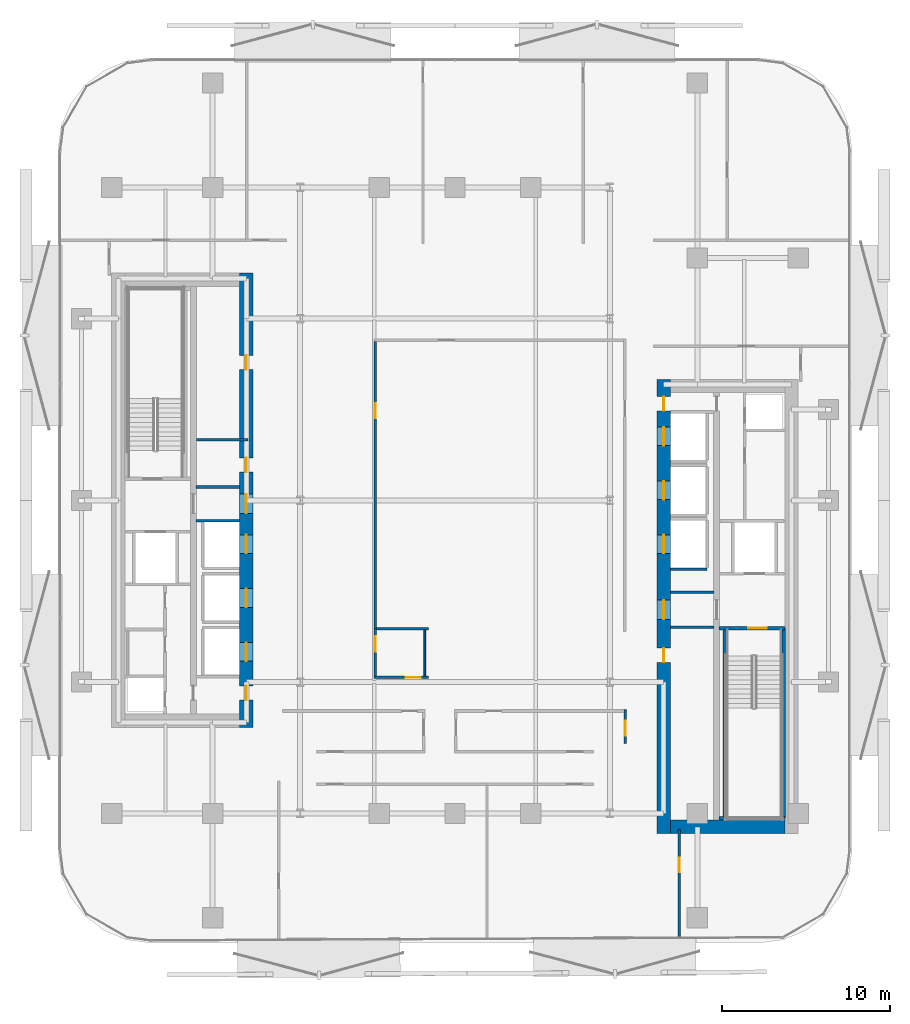
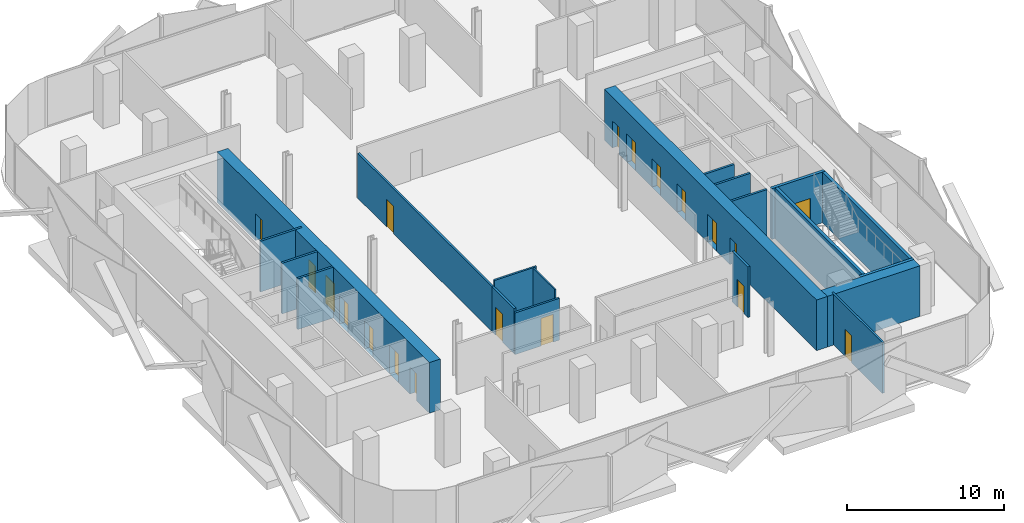
# One storey, part 4 of 15: 20 walls, 19 doors, 19 openings.
"""IFC4 building model written with IfcOpenShell, lengths in metres."""

from ifc_helpers import new_model, si_unit, direction, frame, frame_2d, origin, place, context, subcontext, project, spatial, rectangle, extrude, material, layer, layer_set, type_object, element, fill, save


model = new_model("IFC4")

# Units and contexts
model_context = context("Model", 3, precision=1e-05, world=origin(), true_north=direction((0.0, 1.0)))
body_context = subcontext(model_context, "Body", "Model", "MODEL_VIEW")
ifc_project = project(units=[si_unit("LENGTHUNIT", "METRE"), si_unit("AREAUNIT", "SQUARE_METRE"), si_unit("VOLUMEUNIT", "CUBIC_METRE"), si_unit("PLANEANGLEUNIT", "RADIAN"), si_unit("MASSUNIT", "GRAM", prefix="KILO")], contexts=[model_context])

# Site, building, storey
site_placement = place(None, origin())
site = spatial("IfcSite", under=ifc_project, at=site_placement, CompositionType="ELEMENT")
building_placement = place(site_placement, origin())
building = spatial("IfcBuilding", under=site, at=building_placement, Name="Khairoan Windgate Tower", CompositionType="ELEMENT")
storey_placement = place(building_placement, frame((0.0, 0.0, 118.39990234375)))
storey = spatial("IfcBuildingStorey", under=building, at=storey_placement, Name="L27", CompositionType="ELEMENT", Elevation=118.39990234375)

# Walls
ifc_material_1 = material(Name="Moisture-Resistant Gypsum Partition", Category="gypsum")
ifc_layer_1 = layer(ifc_material_1, 0.10009765625, Name="Moisture-Resistant Gypsum Partition")
ifc_layer_set_1 = layer_set([ifc_layer_1], Name="Moisture-Resistant Gypsum Partition")
wall_type_1 = type_object("IfcWallType", Name="Bathroom Wet-Area Partition Wall", PredefinedType="PARTITIONING", material=ifc_layer_set_1)
wall_1_placement = place(storey_placement, frame((-1.800048828125, -7.68994140625, 0.0), z_axis=(0.0, 0.0, 1.0), x_axis=(0.0, -1.0, 0.0)))
element("IfcWall", 1, at=wall_1_placement, inside=storey, type_object=wall_type_1, Name="L27 Wet Room Side Wall 042", PredefinedType="PARTITIONING", context=body_context, shape_type="SweptSolid", body=[
    extrude(rectangle(XDim=2.755126953125, YDim=0.10009765625, at=frame_2d((1.37744140625, 0.0))), origin(), (0.0, 0.0, 1.0), 3.940185546875),
])
ifc_material_2 = material(Name="Concrete C40/50", Category="concrete")
ifc_layer_2 = layer(ifc_material_2, 0.159912109375, Name="Concrete C40/50")
ifc_layer_set_2 = layer_set([ifc_layer_2], Name="Concrete C40/50")
wall_type_2 = type_object("IfcWallType", Name="Core and Hoistway Enclosure Wall", PredefinedType="STANDARD", material=ifc_layer_set_2)
wall_2_placement = place(storey_placement, frame((12.800048828125, -4.090087890625, 0.0), z_axis=(0.0, 0.0, 1.0), x_axis=(1.0, 0.0, 0.0)))
element("IfcWall", 2, at=wall_2_placement, inside=storey, type_object=wall_type_2, Name="L27 Lift PL9 Hoistway Divider S", PredefinedType="STANDARD", context=body_context, shape_type="SweptSolid", body=[
    extrude(rectangle(XDim=2.18994140625, YDim=0.159912109375, at=frame_2d((1.094970703125, 0.0))), origin(), (0.0, 0.0, 1.0), 3.940185546875),
])
for number, where, z_axis, x_axis, name in (
    (3, (-15.39990234375, 0.800048828125, 0.0), (0.0, 0.0, 1.0), (1.0, 0.0, 0.0), "L27 Core Shaft Wall SW-WV1-L27"),
    (4, (-15.39990234375, -1.199951171875, 0.0), (0.0, 0.0, 1.0), (1.0, 0.0, 0.0), "L27 Core Shaft Wall SW-WV2-L27"),
    (5, (12.800048828125, -5.449951171875, 0.0), (0.0, 0.0, 1.0), (1.0, 0.0, 0.0), "L27 Core Shaft Wall SW-EV1-L27"),
    (6, (12.800048828125, -7.5400390625, 0.0), (0.0, 0.0, 1.0), (1.0, 0.0, 0.0), "L27 Core Shaft Wall SW-EV2-L27"),
):
    element("IfcWall", number, at=place(storey_placement, frame(where, z_axis=z_axis, x_axis=x_axis)), inside=storey, type_object=wall_type_2, Name=name, PredefinedType="STANDARD", context=body_context, shape_type="SweptSolid", body=[
        extrude(rectangle(XDim=2.599853515625, YDim=0.159912109375, at=frame_2d((1.2998046875, 0.0))), origin(), (0.0, 0.0, 1.0), 3.940185546875),
    ])

# Wall, opening, door
ifc_material_3 = material(Name="Acoustic Fire-Rated Gypsum Partition", Category="gypsum")
ifc_layer_3 = layer(ifc_material_3, 0.139892578125, Name="Acoustic Fire-Rated Gypsum Partition")
ifc_layer_set_3 = layer_set([ifc_layer_3], Name="Acoustic Fire-Rated Gypsum Partition")
wall_type_3 = type_object("IfcWallType", Name="Inter-Tenancy Compartment Wall", PredefinedType="PARTITIONING", material=ifc_layer_set_3)
wall_3_placement = place(storey_placement, frame((13.327880859375, -26.001220703125, 0.0), z_axis=(0.0, 0.0, 1.0), x_axis=(0.0, 1.0, 0.0)))
wall_3 = element("IfcWall", 7, at=wall_3_placement, inside=storey, type_object=wall_type_3, Name="L27 Interior Partition 039", PredefinedType="PARTITIONING", context=body_context, shape_type="SweptSolid", body=[
    extrude(rectangle(XDim=6.441162109375, YDim=0.139892578125, at=frame_2d((3.220703125, 0.0))), origin(), (0.0, 0.0, 1.0), 3.940185546875),
])
opening_1_placement = place(wall_3_placement, frame((3.91259765625, 0.0, 0.0)))
opening_1 = element("IfcOpeningElement", 8, at=opening_1_placement, cuts=wall_3, Name="Opening FD-SRV", PredefinedType="OPENING", context=body_context, shape_type="SweptSolid", body=[
    extrude(rectangle(XDim=0.85009765625, YDim=2.10009765625, at=frame_2d((0.425048828125, 1.050048828125))), frame((0.0, 0.079833984375, 0.0), z_axis=(0.0, -1.0, 0.0), x_axis=(1.0, 0.0, 0.0)), (0.0, 0.0, 1.0), 0.159912109375),
])
ifc_material_4 = material(Name="Steel S355", Category="steel")
door_type_1 = type_object("IfcDoorType", Name="Core Service and Riser Fire Door FD-SRV 850x2100", OperationType="NOTDEFINED", PredefinedType="DOOR", material=ifc_material_4)
door_1_placement = place(opening_1_placement, origin())
door_1 = element("IfcDoor", 9, at=door_1_placement, inside=storey, type_object=door_type_1, Name="L27 L27-46-L27-47 Door", OperationType="SINGLE_SWING_RIGHT", OverallHeight=2.10009765625, OverallWidth=0.85009765625, PredefinedType="DOOR", context=body_context, shape_type="SweptSolid", body=[
    extrude(rectangle(XDim=0.85009765625, YDim=2.10009765625, at=frame_2d((0.425048828125, 1.050048828125))), frame((0.0, 0.02490234375, 0.0), z_axis=(0.0, -1.0, 0.0), x_axis=(1.0, 0.0, 0.0)), (0.0, 0.0, 1.0), 0.050048828125),
])
fill(opening_1, door_1)

# Walls
wall_4_placement = place(storey_placement, frame((-4.669921875, -7.6201171875, 0.0), z_axis=(0.0, 0.0, 1.0), x_axis=(1.0, 0.0, 0.0)))
element("IfcWall", 10, at=wall_4_placement, inside=storey, type_object=wall_type_3, Name="L27 Interior Partition 040", PredefinedType="PARTITIONING", context=body_context, shape_type="SweptSolid", body=[
    extrude(rectangle(XDim=3.10986328125, YDim=0.139892578125, at=frame_2d((1.554931640625, 0.0))), origin(), (0.0, 0.0, 1.0), 3.940185546875),
])
ifc_material_5 = material(Name="Concrete C40/50", Category="concrete")
ifc_layer_4 = layer(ifc_material_5, 0.159912109375, Name="Concrete C40/50")
ifc_layer_set_4 = layer_set([ifc_layer_4], Name="Concrete C40/50")
wall_type_4 = type_object("IfcWallType", Name="Plant and Refuge Compartment Wall", PredefinedType="PARTITIONING", material=ifc_layer_set_4)
wall_5_placement = place(storey_placement, frame((-15.375, 3.60009765625, 0.0), z_axis=(0.0, 0.0, 1.0), x_axis=(1.0, 0.0, 0.0)))
element("IfcWall", 11, at=wall_5_placement, inside=storey, type_object=wall_type_4, Name="L27 Interior Partition 006", PredefinedType="PARTITIONING", context=body_context, shape_type="SweptSolid", body=[
    extrude(rectangle(XDim=3.06494140625, YDim=0.159912109375, at=frame_2d((1.532470703125, 0.0))), origin(), (0.0, 0.0, 1.0), 3.940185546875),
])

# Wall, opening, door
ifc_material_6 = material(Name="Acoustic Fire-Rated Gypsum Partition", Category="gypsum")
ifc_layer_5 = layer(ifc_material_6, 0.14990234375, Name="Acoustic Fire-Rated Gypsum Partition")
ifc_layer_set_5 = layer_set([ifc_layer_5], Name="Acoustic Fire-Rated Gypsum Partition")
wall_type_5 = type_object("IfcWallType", Name="Rated Corridor Partition Wall", PredefinedType="PARTITIONING", material=ifc_layer_set_5)
wall_6_placement = place(storey_placement, frame((10.125, -14.43994140625, 0.0), z_axis=(0.0, 0.0, 1.0), x_axis=(0.0, 1.0, 0.0)))
wall_6 = element("IfcWall", 12, at=wall_6_placement, inside=storey, type_object=wall_type_5, Name="L27 Interior Partition 012", PredefinedType="PARTITIONING", context=body_context, shape_type="SweptSolid", body=[
    extrude(rectangle(XDim=2.0, YDim=0.14990234375, at=frame_2d((1.0, 0.0))), origin(), (0.0, 0.0, 1.0), 3.940185546875),
])
opening_2_placement = place(wall_6_placement, frame((0.4599609375, 0.0, 0.0)))
opening_2 = element("IfcOpeningElement", 13, at=opening_2_placement, cuts=wall_6, Name="Opening FD-ENT", PredefinedType="OPENING", context=body_context, shape_type="SweptSolid", body=[
    extrude(rectangle(XDim=0.89990234375, YDim=2.14990234375, at=frame_2d((0.449951171875, 1.074951171875))), frame((0.0, 0.0849609375, 0.0), z_axis=(0.0, -1.0, 0.0), x_axis=(1.0, 0.0, 0.0)), (0.0, 0.0, 1.0), 0.169921875),
])
ifc_material_7 = material(Name="Timber Fire-Rated Core", Category="wood")
door_type_2 = type_object("IfcDoorType", Name="Unit and Office Fire Entrance Door FD-ENT 900x2150", OperationType="NOTDEFINED", PredefinedType="DOOR", material=ifc_material_7)
door_2_placement = place(opening_2_placement, origin())
door_2 = element("IfcDoor", 14, at=door_2_placement, inside=storey, type_object=door_type_2, Name="L27 L27-28-L27-51 Door", OperationType="SINGLE_SWING_LEFT", OverallHeight=2.14990234375, OverallWidth=0.89990234375, PredefinedType="DOOR", context=body_context, shape_type="SweptSolid", body=[
    extrude(rectangle(XDim=0.89990234375, YDim=2.14990234375, at=frame_2d((0.449951171875, 1.074951171875))), frame((0.0, 0.02490234375, 0.0), z_axis=(0.0, -1.0, 0.0), x_axis=(1.0, 0.0, 0.0)), (0.0, 0.0, 1.0), 0.050048828125),
])
fill(opening_2, door_2)

wall_7_placement = place(storey_placement, frame((-4.820068359375, -10.52001953125, 0.0), z_axis=(0.0, 0.0, 1.0), x_axis=(1.0, 0.0, 0.0)))
wall_7 = element("IfcWall", 15, at=wall_7_placement, inside=storey, type_object=wall_type_5, Name="L27 Interior Partition 014", PredefinedType="PARTITIONING", context=body_context, shape_type="SweptSolid", body=[
    extrude(rectangle(XDim=3.260009765625, YDim=0.14990234375, at=frame_2d((1.6298828125, 0.0))), origin(), (0.0, 0.0, 1.0), 3.239990234375),
])
opening_3_placement = place(wall_7_placement, frame((1.89990234375, 0.0, 0.0)))
opening_3 = element("IfcOpeningElement", 16, at=opening_3_placement, cuts=wall_7, Name="Opening FD-ENT", PredefinedType="OPENING", context=body_context, shape_type="SweptSolid", body=[
    extrude(rectangle(XDim=0.89990234375, YDim=2.14990234375, at=frame_2d((0.449951171875, 1.074951171875))), frame((0.0, 0.0849609375, 0.0), z_axis=(0.0, -1.0, 0.0), x_axis=(1.0, 0.0, 0.0)), (0.0, 0.0, 1.0), 0.169921875),
])
door_3_placement = place(opening_3_placement, origin())
door_3 = element("IfcDoor", 17, at=door_3_placement, inside=storey, type_object=door_type_2, Name="L27 L27-30-L27-48 Door", OperationType="SINGLE_SWING_LEFT", OverallHeight=2.14990234375, OverallWidth=0.89990234375, PredefinedType="DOOR", context=body_context, shape_type="SweptSolid", body=[
    extrude(rectangle(XDim=0.89990234375, YDim=2.14990234375, at=frame_2d((0.449951171875, 1.074951171875))), frame((0.0, 0.02490234375, 0.0), z_axis=(0.0, -1.0, 0.0), x_axis=(1.0, 0.0, 0.0)), (0.0, 0.0, 1.0), 0.050048828125),
])
fill(opening_3, door_3)

wall_8_placement = place(storey_placement, frame((-4.7451171875, -10.445068359375, 0.0), z_axis=(0.0, 0.0, 1.0), x_axis=(0.0, 1.0, 0.0)))
wall_8 = element("IfcWall", 18, at=wall_8_placement, inside=storey, type_object=wall_type_5, Name="L27 Interior Partition 017", PredefinedType="PARTITIONING", context=body_context, shape_type="SweptSolid", body=[
    extrude(rectangle(XDim=2.824951171875, YDim=0.14990234375, at=frame_2d((1.41259765625, 0.0))), origin(), (0.0, 0.0, 1.0), 3.489990234375),
])
opening_4_placement = place(wall_8_placement, frame((1.465087890625, 0.0, 0.0)))
opening_4 = element("IfcOpeningElement", 19, at=opening_4_placement, cuts=wall_8, Name="Opening FD-ENT", PredefinedType="OPENING", context=body_context, shape_type="SweptSolid", body=[
    extrude(rectangle(XDim=0.89990234375, YDim=2.14990234375, at=frame_2d((0.449951171875, 1.074951171875))), frame((0.0, 0.0849609375, 0.0), z_axis=(0.0, -1.0, 0.0), x_axis=(1.0, 0.0, 0.0)), (0.0, 0.0, 1.0), 0.169921875),
])
door_4_placement = place(opening_4_placement, origin())
door_4 = element("IfcDoor", 20, at=door_4_placement, inside=storey, type_object=door_type_2, Name="L27 L27-31-L27-48 Door", OperationType="SINGLE_SWING_RIGHT", OverallHeight=2.14990234375, OverallWidth=0.89990234375, PredefinedType="DOOR", context=body_context, shape_type="SweptSolid", body=[
    extrude(rectangle(XDim=0.89990234375, YDim=2.14990234375, at=frame_2d((0.449951171875, 1.074951171875))), frame((0.0, 0.02490234375, 0.0), z_axis=(0.0, -1.0, 0.0), x_axis=(1.0, 0.0, 0.0)), (0.0, 0.0, 1.0), 0.050048828125),
])
fill(opening_4, door_4)

wall_9_placement = place(storey_placement, frame((-4.7451171875, -7.6201171875, 0.0), z_axis=(0.0, 0.0, 1.0), x_axis=(0.0, 1.0, 0.0)))
wall_9 = element("IfcWall", 21, at=wall_9_placement, inside=storey, type_object=wall_type_5, Name="L27 Interior Partition 018", PredefinedType="PARTITIONING", context=body_context, shape_type="SweptSolid", body=[
    extrude(rectangle(XDim=17.065185546875, YDim=0.14990234375, at=frame_2d((8.53271484375, 0.0))), origin(), (0.0, 0.0, 1.0), 3.489990234375),
])
opening_5_placement = place(wall_9_placement, frame((12.49560546875, 0.0, 0.0)))
opening_5 = element("IfcOpeningElement", 22, at=opening_5_placement, cuts=wall_9, Name="Opening FD-ENT", PredefinedType="OPENING", context=body_context, shape_type="SweptSolid", body=[
    extrude(rectangle(XDim=0.89990234375, YDim=2.14990234375, at=frame_2d((0.449951171875, 1.074951171875))), frame((0.0, 0.0849609375, 0.0), z_axis=(0.0, -1.0, 0.0), x_axis=(1.0, 0.0, 0.0)), (0.0, 0.0, 1.0), 0.169921875),
])
door_5_placement = place(opening_5_placement, origin())
door_5 = element("IfcDoor", 23, at=door_5_placement, inside=storey, type_object=door_type_2, Name="L27 L27-31-L27-49 Door", OperationType="SINGLE_SWING_LEFT", OverallHeight=2.14990234375, OverallWidth=0.89990234375, PredefinedType="DOOR", context=body_context, shape_type="SweptSolid", body=[
    extrude(rectangle(XDim=0.89990234375, YDim=2.14990234375, at=frame_2d((0.449951171875, 1.074951171875))), frame((0.0, 0.02490234375, 0.0), z_axis=(0.0, -1.0, 0.0), x_axis=(1.0, 0.0, 0.0)), (0.0, 0.0, 1.0), 0.050048828125),
])
fill(opening_5, door_5)

# Wall, openings, doors
ifc_material_8 = material(Name="Concrete C70/85", Category="concrete")
ifc_layer_6 = layer(ifc_material_8, 0.800048828125, Name="Concrete C70/85")
ifc_layer_set_6 = layer_set([ifc_layer_6], Name="Concrete C70/85")
wall_type_6 = type_object("IfcWallType", Name="Shear Wall CW-E1 800mm", PredefinedType="SHEAR", material=ifc_layer_set_6)
wall_10_placement = place(storey_placement, frame((12.39990234375, -19.800048828125, 0.0), z_axis=(0.0, 0.0, 1.0), x_axis=(0.0, 1.0, 0.0)))
wall_10 = element("IfcWall", 24, at=wall_10_placement, inside=storey, type_object=wall_type_6, Name="E Core West Shear Wall L27", PredefinedType="SHEAR", context=body_context, shape_type="SweptSolid", body=[
    extrude(rectangle(XDim=27.0, YDim=0.800048828125, at=frame_2d((13.5, 0.0))), origin(), (0.0, 0.0, 1.0), 3.940185546875),
])
opening_6_placement = place(wall_10_placement, frame((23.050048828125, 0.0, 0.0)))
opening_6 = element("IfcOpeningElement", 25, at=opening_6_placement, cuts=wall_10, Name="Opening LD-PL", PredefinedType="OPENING", context=body_context, shape_type="SweptSolid", body=[
    extrude(rectangle(XDim=1.10009765625, YDim=2.199951171875, at=frame_2d((0.550048828125, 1.10009765625))), frame((0.0, 0.409912109375, 0.0), z_axis=(0.0, -1.0, 0.0), x_axis=(1.0, 0.0, 0.0)), (0.0, 0.0, 1.0), 0.820068359375),
])
opening_7_placement = place(wall_10_placement, frame((19.85009765625, 0.0, 0.0)))
opening_7 = element("IfcOpeningElement", 26, at=opening_7_placement, cuts=wall_10, Name="Opening LD-PL", PredefinedType="OPENING", context=body_context, shape_type="SweptSolid", body=[
    extrude(rectangle(XDim=1.10009765625, YDim=2.199951171875, at=frame_2d((0.550048828125, 1.10009765625))), frame((0.0, 0.409912109375, 0.0), z_axis=(0.0, -1.0, 0.0), x_axis=(1.0, 0.0, 0.0)), (0.0, 0.0, 1.0), 0.820068359375),
])
opening_8_placement = place(wall_10_placement, frame((16.64990234375, 0.0, 0.0)))
opening_8 = element("IfcOpeningElement", 27, at=opening_8_placement, cuts=wall_10, Name="Opening LD-PL", PredefinedType="OPENING", context=body_context, shape_type="SweptSolid", body=[
    extrude(rectangle(XDim=1.10009765625, YDim=2.199951171875, at=frame_2d((0.550048828125, 1.10009765625))), frame((0.0, 0.409912109375, 0.0), z_axis=(0.0, -1.0, 0.0), x_axis=(1.0, 0.0, 0.0)), (0.0, 0.0, 1.0), 0.820068359375),
])
opening_9_placement = place(wall_10_placement, frame((10.175048828125, 0.0, 0.0)))
opening_9 = element("IfcOpeningElement", 28, at=opening_9_placement, cuts=wall_10, Name="Opening FD-SRV", PredefinedType="OPENING", context=body_context, shape_type="SweptSolid", body=[
    extrude(rectangle(XDim=0.85009765625, YDim=2.10009765625, at=frame_2d((0.425048828125, 1.050048828125))), frame((0.0, 0.409912109375, 0.0), z_axis=(0.0, -1.0, 0.0), x_axis=(1.0, 0.0, 0.0)), (0.0, 0.0, 1.0), 0.820068359375),
])
opening_10_placement = place(wall_10_placement, frame((12.72509765625, 0.0, 0.0)))
opening_10 = element("IfcOpeningElement", 29, at=opening_10_placement, cuts=wall_10, Name="Opening FD-FFL", PredefinedType="OPENING", context=body_context, shape_type="SweptSolid", body=[
    extrude(rectangle(XDim=1.14990234375, YDim=2.199951171875, at=frame_2d((0.574951171875, 1.10009765625))), frame((0.0, 0.409912109375, 0.0), z_axis=(0.0, -1.0, 0.0), x_axis=(1.0, 0.0, 0.0)), (0.0, 0.0, 1.0), 0.820068359375),
])
opening_11_placement = place(wall_10_placement, frame((25.125, 0.0, 0.0)))
opening_11 = element("IfcOpeningElement", 30, at=opening_11_placement, cuts=wall_10, Name="Opening FD-SRV", PredefinedType="OPENING", context=body_context, shape_type="SweptSolid", body=[
    extrude(rectangle(XDim=0.85009765625, YDim=2.10009765625, at=frame_2d((0.425048828125, 1.050048828125))), frame((0.0, 0.409912109375, 0.0), z_axis=(0.0, -1.0, 0.0), x_axis=(1.0, 0.0, 0.0)), (0.0, 0.0, 1.0), 0.820068359375),
])
door_6_placement = place(opening_9_placement, origin())
door_6 = element("IfcDoor", 31, at=door_6_placement, inside=storey, type_object=door_type_1, Name="L27 East Core Service Room Door 1", OperationType="SINGLE_SWING_LEFT", OverallHeight=2.10009765625, OverallWidth=0.85009765625, PredefinedType="DOOR", context=body_context, shape_type="SweptSolid", body=[
    extrude(rectangle(XDim=0.85009765625, YDim=2.10009765625, at=frame_2d((0.425048828125, 1.050048828125))), frame((0.0, 0.02490234375, 0.0), z_axis=(0.0, -1.0, 0.0), x_axis=(1.0, 0.0, 0.0)), (0.0, 0.0, 1.0), 0.050048828125),
])
fill(opening_9, door_6)
door_7_placement = place(opening_11_placement, origin())
door_7 = element("IfcDoor", 32, at=door_7_placement, inside=storey, type_object=door_type_1, Name="L27 East Core Service Vestibule Outer Door", OperationType="SINGLE_SWING_RIGHT", OverallHeight=2.10009765625, OverallWidth=0.85009765625, PredefinedType="DOOR", context=body_context, shape_type="SweptSolid", body=[
    extrude(rectangle(XDim=0.85009765625, YDim=2.10009765625, at=frame_2d((0.425048828125, 1.050048828125))), frame((0.0, 0.02490234375, 0.0), z_axis=(0.0, -1.0, 0.0), x_axis=(1.0, 0.0, 0.0)), (0.0, 0.0, 1.0), 0.050048828125),
])
fill(opening_11, door_7)
ifc_material_9 = material(Name="Steel S355", Category="steel")
door_type_3 = type_object("IfcDoorType", Name="Firefighting Lobby Fire Door FD-FFL 1150x2200", OperationType="NOTDEFINED", PredefinedType="DOOR", material=ifc_material_9)
door_8_placement = place(opening_10_placement, origin())
door_8 = element("IfcDoor", 33, at=door_8_placement, inside=storey, type_object=door_type_3, Name="L27 East Core Vestibule Entry Door", OperationType="SINGLE_SWING_RIGHT", OverallHeight=2.199951171875, OverallWidth=1.14990234375, PredefinedType="DOOR", context=body_context, shape_type="SweptSolid", body=[
    extrude(rectangle(XDim=1.14990234375, YDim=2.199951171875, at=frame_2d((0.574951171875, 1.10009765625))), frame((0.0, 0.02490234375, 0.0), z_axis=(0.0, -1.0, 0.0), x_axis=(1.0, 0.0, 0.0)), (0.0, 0.0, 1.0), 0.050048828125),
])
fill(opening_10, door_8)
ifc_material_10 = material(Name="Anodised Bronze Aluminium 6063-T6", Category="aluminium")
door_type_4 = type_object("IfcDoorType", Name="Passenger Lift Sliding Landing Door LD-PL 1100x2200", OperationType="DOUBLE_DOOR_SLIDING", PredefinedType="DOOR", material=ifc_material_10)
door_9_placement = place(opening_6_placement, origin())
door_9 = element("IfcDoor", 34, at=door_9_placement, inside=storey, type_object=door_type_4, Name="L27 Lift PL7 Sliding Landing Door", OperationType="DOUBLE_DOOR_SLIDING", OverallHeight=2.199951171875, OverallWidth=1.10009765625, PredefinedType="DOOR", context=body_context, shape_type="SweptSolid", body=[
    extrude(rectangle(XDim=1.10009765625, YDim=2.199951171875, at=frame_2d((0.550048828125, 1.10009765625))), frame((0.0, 0.02490234375, 0.0), z_axis=(0.0, -1.0, 0.0), x_axis=(1.0, 0.0, 0.0)), (0.0, 0.0, 1.0), 0.050048828125),
])
fill(opening_6, door_9)
door_10_placement = place(opening_7_placement, origin())
door_10 = element("IfcDoor", 35, at=door_10_placement, inside=storey, type_object=door_type_4, Name="L27 Lift PL8 Sliding Landing Door", OperationType="DOUBLE_DOOR_SLIDING", OverallHeight=2.199951171875, OverallWidth=1.10009765625, PredefinedType="DOOR", context=body_context, shape_type="SweptSolid", body=[
    extrude(rectangle(XDim=1.10009765625, YDim=2.199951171875, at=frame_2d((0.550048828125, 1.10009765625))), frame((0.0, 0.02490234375, 0.0), z_axis=(0.0, -1.0, 0.0), x_axis=(1.0, 0.0, 0.0)), (0.0, 0.0, 1.0), 0.050048828125),
])
fill(opening_7, door_10)
door_11_placement = place(opening_8_placement, origin())
door_11 = element("IfcDoor", 36, at=door_11_placement, inside=storey, type_object=door_type_4, Name="L27 Lift PL9 Sliding Landing Door", OperationType="DOUBLE_DOOR_SLIDING", OverallHeight=2.199951171875, OverallWidth=1.10009765625, PredefinedType="DOOR", context=body_context, shape_type="SweptSolid", body=[
    extrude(rectangle(XDim=1.10009765625, YDim=2.199951171875, at=frame_2d((0.550048828125, 1.10009765625))), frame((0.0, 0.02490234375, 0.0), z_axis=(0.0, -1.0, 0.0), x_axis=(1.0, 0.0, 0.0)), (0.0, 0.0, 1.0), 0.050048828125),
])
fill(opening_8, door_11)

# Wall
wall_11_placement = place(storey_placement, frame((12.800048828125, -19.39990234375, 0.0), z_axis=(0.0, 0.0, 1.0), x_axis=(1.0, 0.0, 0.0)))
element("IfcWall", 37, at=wall_11_placement, inside=storey, type_object=wall_type_6, Name="E Core South Shear Wall L27", PredefinedType="SHEAR", context=body_context, shape_type="SweptSolid", body=[
    extrude(rectangle(XDim=6.800048828125, YDim=0.800048828125, at=frame_2d((3.39990234375, 0.0))), origin(), (0.0, 0.0, 1.0), 3.940185546875),
])

# Wall, openings, doors
ifc_material_11 = material(Name="Concrete C70/85", Category="concrete")
ifc_layer_7 = layer(ifc_material_11, 0.800048828125, Name="Concrete C70/85")
ifc_layer_set_7 = layer_set([ifc_layer_7], Name="Concrete C70/85")
wall_type_7 = type_object("IfcWallType", Name="Shear Wall CW-W1 800mm", PredefinedType="SHEAR", material=ifc_layer_set_7)
wall_12_placement = place(storey_placement, frame((-12.39990234375, -13.5, 0.0), z_axis=(0.0, 0.0, 1.0), x_axis=(0.0, 1.0, 0.0)))
wall_12 = element("IfcWall", 38, at=wall_12_placement, inside=storey, type_object=wall_type_7, Name="W Core East Shear Wall L27", PredefinedType="SHEAR", context=body_context, shape_type="SweptSolid", body=[
    extrude(rectangle(XDim=27.0, YDim=0.800048828125, at=frame_2d((13.5, 0.0))), origin(), (0.0, 0.0, 1.0), 3.940185546875),
])
opening_12_placement = place(wall_12_placement, frame((10.35009765625, 0.0, 0.0)))
opening_12 = element("IfcOpeningElement", 39, at=opening_12_placement, cuts=wall_12, Name="Opening LD-PL", PredefinedType="OPENING", context=body_context, shape_type="SweptSolid", body=[
    extrude(rectangle(XDim=1.10009765625, YDim=2.199951171875, at=frame_2d((0.550048828125, 1.10009765625))), frame((0.0, 0.409912109375, 0.0), z_axis=(0.0, -1.0, 0.0), x_axis=(1.0, 0.0, 0.0)), (0.0, 0.0, 1.0), 0.820068359375),
])
opening_13_placement = place(wall_12_placement, frame((7.14990234375, 0.0, 0.0)))
opening_13 = element("IfcOpeningElement", 40, at=opening_13_placement, cuts=wall_12, Name="Opening LD-PL", PredefinedType="OPENING", context=body_context, shape_type="SweptSolid", body=[
    extrude(rectangle(XDim=1.10009765625, YDim=2.199951171875, at=frame_2d((0.550048828125, 1.10009765625))), frame((0.0, 0.409912109375, 0.0), z_axis=(0.0, -1.0, 0.0), x_axis=(1.0, 0.0, 0.0)), (0.0, 0.0, 1.0), 0.820068359375),
])
opening_14_placement = place(wall_12_placement, frame((3.949951171875, 0.0, 0.0)))
opening_14 = element("IfcOpeningElement", 41, at=opening_14_placement, cuts=wall_12, Name="Opening LD-PL", PredefinedType="OPENING", context=body_context, shape_type="SweptSolid", body=[
    extrude(rectangle(XDim=1.10009765625, YDim=2.199951171875, at=frame_2d((0.550048828125, 1.10009765625))), frame((0.0, 0.409912109375, 0.0), z_axis=(0.0, -1.0, 0.0), x_axis=(1.0, 0.0, 0.0)), (0.0, 0.0, 1.0), 0.820068359375),
])
opening_15_placement = place(wall_12_placement, frame((15.175048828125, 0.0, 0.0)))
opening_15 = element("IfcOpeningElement", 42, at=opening_15_placement, cuts=wall_12, Name="Opening FD-SRV", PredefinedType="OPENING", context=body_context, shape_type="SweptSolid", body=[
    extrude(rectangle(XDim=0.85009765625, YDim=2.10009765625, at=frame_2d((0.425048828125, 1.050048828125))), frame((0.0, 0.409912109375, 0.0), z_axis=(0.0, -1.0, 0.0), x_axis=(1.0, 0.0, 0.0)), (0.0, 0.0, 1.0), 0.820068359375),
])
opening_16_placement = place(wall_12_placement, frame((21.27490234375, 0.0, 0.0)))
opening_16 = element("IfcOpeningElement", 43, at=opening_16_placement, cuts=wall_12, Name="Opening FD-SRV", PredefinedType="OPENING", context=body_context, shape_type="SweptSolid", body=[
    extrude(rectangle(XDim=0.85009765625, YDim=2.10009765625, at=frame_2d((0.425048828125, 1.050048828125))), frame((0.0, 0.409912109375, 0.0), z_axis=(0.0, -1.0, 0.0), x_axis=(1.0, 0.0, 0.0)), (0.0, 0.0, 1.0), 0.820068359375),
])
opening_17_placement = place(wall_12_placement, frame((12.72509765625, 0.0, 0.0)))
opening_17 = element("IfcOpeningElement", 44, at=opening_17_placement, cuts=wall_12, Name="Opening FD-FFL", PredefinedType="OPENING", context=body_context, shape_type="SweptSolid", body=[
    extrude(rectangle(XDim=1.14990234375, YDim=2.199951171875, at=frame_2d((0.574951171875, 1.10009765625))), frame((0.0, 0.409912109375, 0.0), z_axis=(0.0, -1.0, 0.0), x_axis=(1.0, 0.0, 0.0)), (0.0, 0.0, 1.0), 0.820068359375),
])
opening_18_placement = place(wall_12_placement, frame((1.625, 0.0, 0.0)))
opening_18 = element("IfcOpeningElement", 45, at=opening_18_placement, cuts=wall_12, Name="Opening FD-SRV", PredefinedType="OPENING", context=body_context, shape_type="SweptSolid", body=[
    extrude(rectangle(XDim=0.85009765625, YDim=2.10009765625, at=frame_2d((0.425048828125, 1.050048828125))), frame((0.0, 0.409912109375, 0.0), z_axis=(0.0, -1.0, 0.0), x_axis=(1.0, 0.0, 0.0)), (0.0, 0.0, 1.0), 0.820068359375),
])
door_12_placement = place(opening_15_placement, origin())
door_12 = element("IfcDoor", 46, at=door_12_placement, inside=storey, type_object=door_type_1, Name="L27 Upper Core Room Door B1-1", OperationType="SINGLE_SWING_LEFT", OverallHeight=2.10009765625, OverallWidth=0.85009765625, PredefinedType="DOOR", context=body_context, shape_type="SweptSolid", body=[
    extrude(rectangle(XDim=0.85009765625, YDim=2.10009765625, at=frame_2d((0.425048828125, 1.050048828125))), frame((0.0, 0.02490234375, 0.0), z_axis=(0.0, -1.0, 0.0), x_axis=(1.0, 0.0, 0.0)), (0.0, 0.0, 1.0), 0.050048828125),
])
fill(opening_15, door_12)
door_13_placement = place(opening_16_placement, origin())
door_13 = element("IfcDoor", 47, at=door_13_placement, inside=storey, type_object=door_type_1, Name="L27 Upper Core Room Door B1-2", OperationType="SINGLE_SWING_RIGHT", OverallHeight=2.10009765625, OverallWidth=0.85009765625, PredefinedType="DOOR", context=body_context, shape_type="SweptSolid", body=[
    extrude(rectangle(XDim=0.85009765625, YDim=2.10009765625, at=frame_2d((0.425048828125, 1.050048828125))), frame((0.0, 0.02490234375, 0.0), z_axis=(0.0, -1.0, 0.0), x_axis=(1.0, 0.0, 0.0)), (0.0, 0.0, 1.0), 0.050048828125),
])
fill(opening_16, door_13)
door_14_placement = place(opening_18_placement, origin())
door_14 = element("IfcDoor", 48, at=door_14_placement, inside=storey, type_object=door_type_1, Name="L27 West Core Service Vestibule Outer Door", OperationType="SINGLE_SWING_RIGHT", OverallHeight=2.10009765625, OverallWidth=0.85009765625, PredefinedType="DOOR", context=body_context, shape_type="SweptSolid", body=[
    extrude(rectangle(XDim=0.85009765625, YDim=2.10009765625, at=frame_2d((0.425048828125, 1.050048828125))), frame((0.0, 0.02490234375, 0.0), z_axis=(0.0, -1.0, 0.0), x_axis=(1.0, 0.0, 0.0)), (0.0, 0.0, 1.0), 0.050048828125),
])
fill(opening_18, door_14)
door_15_placement = place(opening_17_placement, origin())
door_15 = element("IfcDoor", 49, at=door_15_placement, inside=storey, type_object=door_type_3, Name="L27 West Core Vestibule Entry Door", OperationType="SINGLE_SWING_RIGHT", OverallHeight=2.199951171875, OverallWidth=1.14990234375, PredefinedType="DOOR", context=body_context, shape_type="SweptSolid", body=[
    extrude(rectangle(XDim=1.14990234375, YDim=2.199951171875, at=frame_2d((0.574951171875, 1.10009765625))), frame((0.0, 0.02490234375, 0.0), z_axis=(0.0, -1.0, 0.0), x_axis=(1.0, 0.0, 0.0)), (0.0, 0.0, 1.0), 0.050048828125),
])
fill(opening_17, door_15)
door_16_placement = place(opening_12_placement, origin())
door_16 = element("IfcDoor", 50, at=door_16_placement, inside=storey, type_object=door_type_4, Name="L27 Lift PL4 Sliding Landing Door", OperationType="DOUBLE_DOOR_SLIDING", OverallHeight=2.199951171875, OverallWidth=1.10009765625, PredefinedType="DOOR", context=body_context, shape_type="SweptSolid", body=[
    extrude(rectangle(XDim=1.10009765625, YDim=2.199951171875, at=frame_2d((0.550048828125, 1.10009765625))), frame((0.0, 0.02490234375, 0.0), z_axis=(0.0, -1.0, 0.0), x_axis=(1.0, 0.0, 0.0)), (0.0, 0.0, 1.0), 0.050048828125),
])
fill(opening_12, door_16)
door_17_placement = place(opening_13_placement, origin())
door_17 = element("IfcDoor", 51, at=door_17_placement, inside=storey, type_object=door_type_4, Name="L27 Lift PL5 Sliding Landing Door", OperationType="DOUBLE_DOOR_SLIDING", OverallHeight=2.199951171875, OverallWidth=1.10009765625, PredefinedType="DOOR", context=body_context, shape_type="SweptSolid", body=[
    extrude(rectangle(XDim=1.10009765625, YDim=2.199951171875, at=frame_2d((0.550048828125, 1.10009765625))), frame((0.0, 0.02490234375, 0.0), z_axis=(0.0, -1.0, 0.0), x_axis=(1.0, 0.0, 0.0)), (0.0, 0.0, 1.0), 0.050048828125),
])
fill(opening_13, door_17)
door_18_placement = place(opening_14_placement, origin())
door_18 = element("IfcDoor", 52, at=door_18_placement, inside=storey, type_object=door_type_4, Name="L27 Lift PL6 Sliding Landing Door", OperationType="DOUBLE_DOOR_SLIDING", OverallHeight=2.199951171875, OverallWidth=1.10009765625, PredefinedType="DOOR", context=body_context, shape_type="SweptSolid", body=[
    extrude(rectangle(XDim=1.10009765625, YDim=2.199951171875, at=frame_2d((0.550048828125, 1.10009765625))), frame((0.0, 0.02490234375, 0.0), z_axis=(0.0, -1.0, 0.0), x_axis=(1.0, 0.0, 0.0)), (0.0, 0.0, 1.0), 0.050048828125),
])
fill(opening_14, door_18)

# Walls
ifc_material_12 = material(Name="Concrete C50/60", Category="concrete")
ifc_layer_8 = layer(ifc_material_12, 0.219970703125, Name="Concrete C50/60")
ifc_layer_set_8 = layer_set([ifc_layer_8], Name="Concrete C50/60")
wall_type_8 = type_object("IfcWallType", Name="Shear Wall SW-ST 220mm", PredefinedType="SHEAR", material=ifc_layer_set_8)
for number, where, z_axis, x_axis, name in (
    (53, (16.0400390625, -18.889892578125, 0.0), (0.0, 0.0, 1.0), (0.0, 1.0, 0.0), "L27 Stair ST1 West Bearing Wall"),
    (54, (19.530029296875, -18.889892578125, 0.0), (0.0, 0.0, 1.0), (0.0, 1.0, 0.0), "L27 Stair ST1 East Bearing Wall"),
):
    element("IfcWall", number, at=place(storey_placement, frame(where, z_axis=z_axis, x_axis=x_axis)), inside=storey, type_object=wall_type_8, Name=name, PredefinedType="SHEAR", context=body_context, shape_type="SweptSolid", body=[
        extrude(rectangle(XDim=11.2998046875, YDim=0.219970703125, at=frame_2d((5.64990234375, 0.0))), origin(), (0.0, 0.0, 1.0), 3.940185546875),
    ])
wall_13_placement = place(storey_placement, frame((15.705078125, -18.889892578125, 0.0), z_axis=(0.0, 0.0, 1.0), x_axis=(1.0, 0.0, 0.0)))
element("IfcWall", 55, at=wall_13_placement, inside=storey, type_object=wall_type_8, Name="L27 Stair ST1 South Bearing Wall", PredefinedType="SHEAR", context=body_context, shape_type="SweptSolid", body=[
    extrude(rectangle(XDim=3.9150390625, YDim=0.219970703125, at=frame_2d((1.95751953125, 0.0))), origin(), (0.0, 0.0, 1.0), 3.940185546875),
])

# Wall, opening, door
wall_14_placement = place(storey_placement, frame((19.6201171875, -7.590087890625, 0.0), z_axis=(0.0, 0.0, 1.0), x_axis=(-1.0, 0.0, 0.0)))
wall_14 = element("IfcWall", 56, at=wall_14_placement, inside=storey, type_object=wall_type_8, Name="L27 Stair ST1 North Bearing Wall", PredefinedType="SHEAR", context=body_context, shape_type="SweptSolid", body=[
    extrude(rectangle(XDim=3.9150390625, YDim=0.219970703125, at=frame_2d((1.95751953125, 0.0))), origin(), (0.0, 0.0, 1.0), 3.940185546875),
])
opening_19_placement = place(wall_14_placement, frame((1.080078125, 0.0, 0.0)))
opening_19 = element("IfcOpeningElement", 57, at=opening_19_placement, cuts=wall_14, Name="Opening FD-ST", PredefinedType="OPENING", context=body_context, shape_type="SweptSolid", body=[
    extrude(rectangle(XDim=1.10009765625, YDim=2.199951171875, at=frame_2d((0.550048828125, 1.10009765625))), frame((0.0, 0.119873046875, 0.0), z_axis=(0.0, -1.0, 0.0), x_axis=(1.0, 0.0, 0.0)), (0.0, 0.0, 1.0), 0.239990234375),
])
ifc_material_13 = material(Name="Steel S355", Category="steel")
door_type_5 = type_object("IfcDoorType", Name="Smokeproof Stair Fire Door FD-ST 1100x2200", OperationType="NOTDEFINED", PredefinedType="DOOR", material=ifc_material_13)
door_19_placement = place(opening_19_placement, origin())
door_19 = element("IfcDoor", 58, at=door_19_placement, inside=storey, type_object=door_type_5, Name="L27 Stair ST1 Fire Door", OperationType="SINGLE_SWING_LEFT", OverallHeight=2.199951171875, OverallWidth=1.10009765625, PredefinedType="DOOR", context=body_context, shape_type="SweptSolid", body=[
    extrude(rectangle(XDim=1.10009765625, YDim=2.199951171875, at=frame_2d((0.550048828125, 1.10009765625))), frame((0.0, 0.02490234375, 0.0), z_axis=(0.0, -1.0, 0.0), x_axis=(1.0, 0.0, 0.0)), (0.0, 0.0, 1.0), 0.050048828125),
])
fill(opening_19, door_19)

save(model, "model.ifc")
